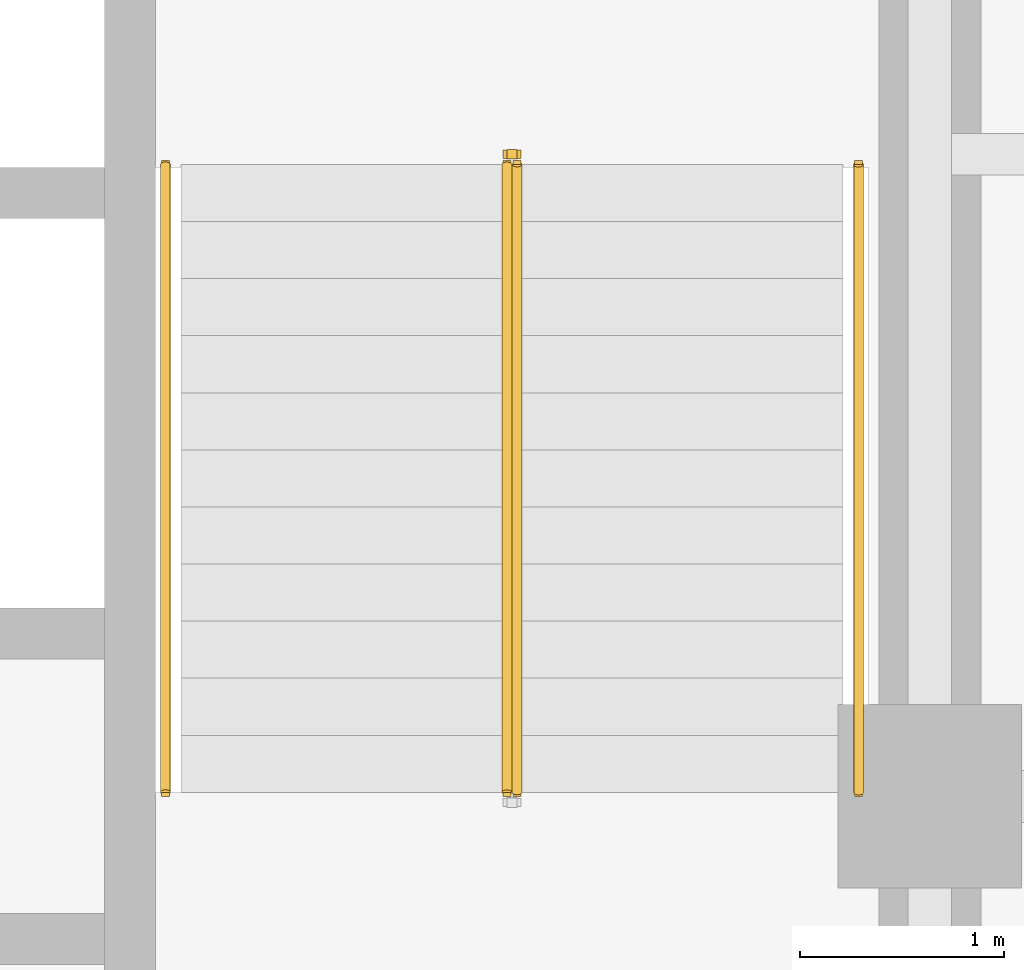
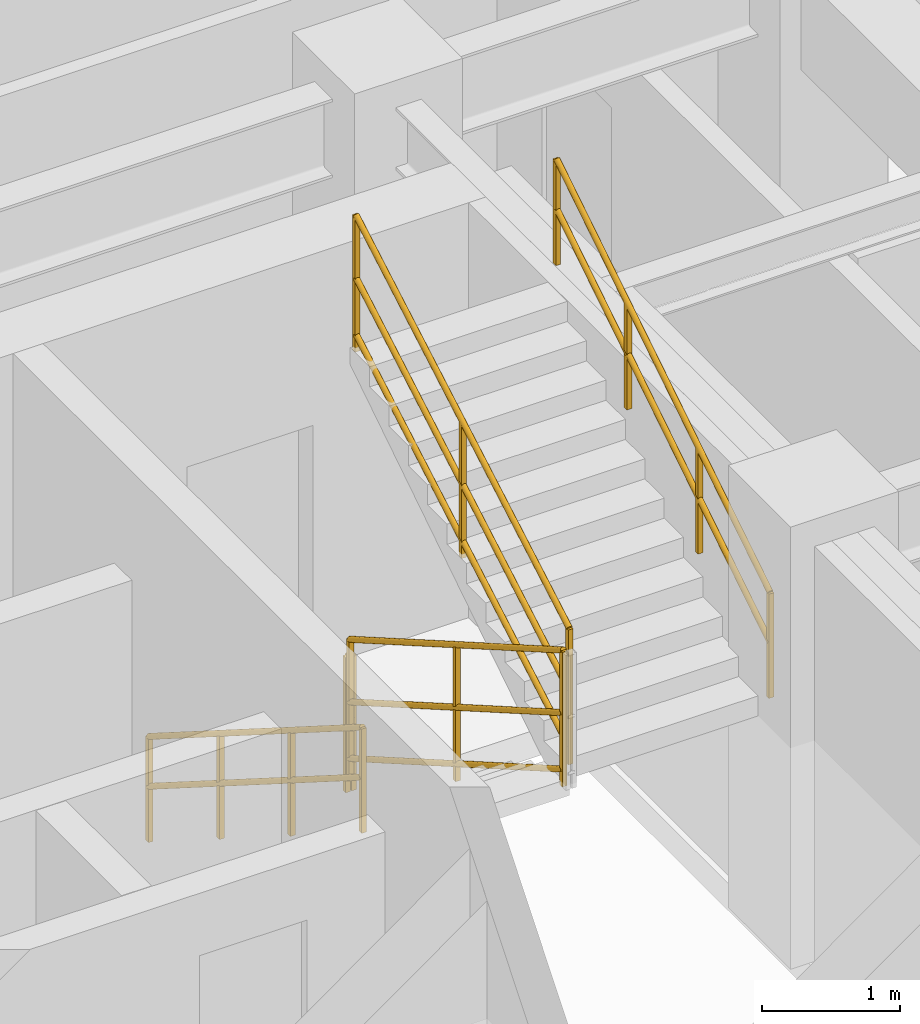
# One storey, part 10 of 11: 5 railings.
"""IFC4 building model written with IfcOpenShell, lengths in metres."""

from ifc_helpers import new_model, entity, si_unit, converted_unit, direction, frame, origin_with_axes, origin_2d_with_axis, place, context, subcontext, project, spatial, rectangle, circle, extrude, material, type_object, element, save


model = new_model("IFC4")

# Units and contexts
model_context = context("Model", 3, precision=1e-05, world=origin_with_axes(), true_north=direction((0.0, 1.0)))
body_context = subcontext(model_context, "Body", "Model", "MODEL_VIEW")
ifc_project = project(units=[si_unit("LENGTHUNIT", "METRE"), si_unit("AREAUNIT", "SQUARE_METRE"), si_unit("VOLUMEUNIT", "CUBIC_METRE"), converted_unit("PLANEANGLEUNIT", "DEGREE", entity("IfcPlaneAngleMeasure", 0.017453292519943295), si_unit("PLANEANGLEUNIT", "RADIAN"), dimensions=[0, 0, 0, 0, 0, 0, 0]), si_unit("MASSUNIT", "GRAM", prefix="KILO"), si_unit("THERMODYNAMICTEMPERATUREUNIT", "KELVIN")], contexts=[model_context])

# Site, building, storey
site_placement = place(None, origin_with_axes())
site = spatial("IfcSite", under=ifc_project, at=site_placement, CompositionType="ELEMENT")
building_placement = place(site_placement, origin_with_axes())
building = spatial("IfcBuilding", under=site, at=building_placement, Name="Varnlund Millrace Tower", CompositionType="ELEMENT")
storey_placement = place(building_placement, frame((0.0, 0.0, 200.4), z_axis=(0.0, 0.0, 1.0), x_axis=(1.0, 0.0, 0.0)))
storey = spatial("IfcBuildingStorey", under=building, at=storey_placement, Name="L49", CompositionType="ELEMENT", Elevation=200.4)

# Railings
ifc_material_1 = material(Name="Painted steel stair well balustrade guard", Category="steel")
railing_type_1 = type_object("IfcRailingType", Name="Type-StairGuard-1150", PredefinedType="GUARDRAIL", material=ifc_material_1)
railing_1_placement = place(storey_placement, frame((0.0, 0.0, -200.4), z_axis=(0.0, 0.0, 1.0), x_axis=(1.0, 0.0, 0.0)))
element("IfcRailing", 1, at=railing_1_placement, inside=storey, type_object=railing_type_1, Name="Type-StairGuard-1150", PredefinedType="GUARDRAIL", context=body_context, shape_type="SweptSolid", body=[
    extrude(circle(Radius=0.024, at=origin_2d_with_axis()), frame((45.975, 21.1, 201.727273), z_axis=(0.0, -0.866696, 0.498836), x_axis=(1.0, 0.0, 0.0)), (0.0, 0.0, 1.0), 3.553725),
    extrude(circle(Radius=0.024, at=origin_2d_with_axis()), frame((45.975, 21.1, 200.677273), z_axis=(0.0, -0.866696, 0.498836), x_axis=(1.0, 0.0, 0.0)), (0.0, 0.0, 1.0), 3.553725),
    extrude(circle(Radius=0.024, at=origin_2d_with_axis()), frame((45.975, 21.1, 201.175273), z_axis=(0.0, -0.866696, 0.498836), x_axis=(1.0, 0.0, 0.0)), (0.0, 0.0, 1.0), 3.553725),
    extrude(rectangle(XDim=0.04, YDim=0.04, at=origin_2d_with_axis()), frame((45.975, 21.1, 200.537273), z_axis=(0.0, 0.0, 1.0), x_axis=(1.0, 0.0, 0.0)), (0.0, 0.0, 1.0), 1.19),
    extrude(rectangle(XDim=0.04, YDim=0.04, at=origin_2d_with_axis()), frame((45.975, 19.56, 201.423637), z_axis=(0.0, 0.0, 1.0), x_axis=(1.0, 0.0, 0.0)), (0.0, 0.0, 1.0), 1.19),
    extrude(rectangle(XDim=0.04, YDim=0.04, at=origin_2d_with_axis()), frame((45.975, 18.02, 202.31), z_axis=(0.0, 0.0, 1.0), x_axis=(1.0, 0.0, 0.0)), (0.0, 0.0, 1.0), 1.19),
])
railing_2_placement = place(storey_placement, frame((0.0, 0.0, -200.4), z_axis=(0.0, 0.0, 1.0), x_axis=(1.0, 0.0, 0.0)))
element("IfcRailing", 2, at=railing_2_placement, inside=storey, type_object=railing_type_1, Name="Type-StairGuard-1150", PredefinedType="GUARDRAIL", context=body_context, shape_type="SweptSolid", body=[
    extrude(circle(Radius=0.024, at=origin_2d_with_axis()), frame((46.025, 18.02, 203.677273), z_axis=(0.0, 0.866696, 0.498836), x_axis=(-1.0, 0.0, 0.0)), (0.0, 0.0, 1.0), 3.553725),
    extrude(circle(Radius=0.024, at=origin_2d_with_axis()), frame((46.025, 18.02, 202.627273), z_axis=(0.0, 0.866696, 0.498836), x_axis=(-1.0, 0.0, 0.0)), (0.0, 0.0, 1.0), 3.553725),
    extrude(circle(Radius=0.024, at=origin_2d_with_axis()), frame((46.025, 18.02, 203.125273), z_axis=(0.0, 0.866696, 0.498836), x_axis=(-1.0, 0.0, 0.0)), (0.0, 0.0, 1.0), 3.553725),
    extrude(rectangle(XDim=0.04, YDim=0.04, at=origin_2d_with_axis()), frame((46.025, 18.02, 202.487273), z_axis=(0.0, 0.0, 1.0), x_axis=(1.0, 0.0, 0.0)), (0.0, 0.0, 1.0), 1.19),
    extrude(rectangle(XDim=0.04, YDim=0.04, at=origin_2d_with_axis()), frame((46.025, 19.56, 203.373636), z_axis=(0.0, 0.0, 1.0), x_axis=(1.0, 0.0, 0.0)), (0.0, 0.0, 1.0), 1.19),
    extrude(rectangle(XDim=0.04, YDim=0.04, at=origin_2d_with_axis()), frame((46.025, 21.1, 204.26), z_axis=(0.0, 0.0, 1.0), x_axis=(1.0, 0.0, 0.0)), (0.0, 0.0, 1.0), 1.19),
])
railing_3_placement = place(storey_placement, frame((0.0, 0.0, -200.4), z_axis=(0.0, 0.0, 1.0), x_axis=(1.0, 0.0, 0.0)))
element("IfcRailing", 3, at=railing_3_placement, inside=storey, type_object=railing_type_1, Name="Type-StairGuard-1150", PredefinedType="GUARDRAIL", context=body_context, shape_type="SweptSolid", body=[
    extrude(circle(Radius=0.024, at=origin_2d_with_axis()), frame((46.025, 21.15, 201.55), z_axis=(-1.0, 0.0, 0.0), x_axis=(0.0, -1.0, 0.0)), (0.0, 0.0, 1.0), 0.05),
    extrude(circle(Radius=0.024, at=origin_2d_with_axis()), frame((46.025, 21.15, 200.5), z_axis=(-1.0, 0.0, 0.0), x_axis=(0.0, -1.0, 0.0)), (0.0, 0.0, 1.0), 0.05),
    extrude(circle(Radius=0.024, at=origin_2d_with_axis()), frame((46.025, 21.15, 200.998), z_axis=(-1.0, 0.0, 0.0), x_axis=(0.0, -1.0, 0.0)), (0.0, 0.0, 1.0), 0.05),
    extrude(rectangle(XDim=0.04, YDim=0.04, at=origin_2d_with_axis()), frame((46.025, 21.15, 200.36), z_axis=(0.0, 0.0, 1.0), x_axis=(1.0, 0.0, 0.0)), (0.0, 0.0, 1.0), 1.19),
    extrude(rectangle(XDim=0.04, YDim=0.04, at=origin_2d_with_axis()), frame((45.975, 21.15, 200.36), z_axis=(0.0, 0.0, 1.0), x_axis=(1.0, 0.0, 0.0)), (0.0, 0.0, 1.0), 1.19),
])
ifc_material_2 = material(Name="Brushed architectural bronze stair handrail", Category="aluminium")
railing_type_2 = type_object("IfcRailingType", Name="Type-StairHandrail-900", PredefinedType="HANDRAIL", material=ifc_material_2)
railing_4_placement = place(storey_placement, frame((0.0, 0.0, -200.4), z_axis=(0.0, 0.0, 1.0), x_axis=(1.0, 0.0, 0.0)))
element("IfcRailing", 4, at=railing_4_placement, inside=storey, type_object=railing_type_2, Name="Type-StairHandrail-900", PredefinedType="HANDRAIL", context=body_context, shape_type="SweptSolid", body=[
    extrude(circle(Radius=0.024, at=origin_2d_with_axis()), frame((44.3, 21.1, 201.456995), z_axis=(0.0, -0.844902, 0.534922), x_axis=(1.0, 0.0, 0.0)), (0.0, 0.0, 1.0), 3.645394),
    extrude(circle(Radius=0.024, at=origin_2d_with_axis()), frame((44.3, 21.1, 201.017134), z_axis=(0.0, -0.844902, 0.534922), x_axis=(1.0, 0.0, 0.0)), (0.0, 0.0, 1.0), 3.645394),
    extrude(rectangle(XDim=0.04, YDim=0.04, at=origin_2d_with_axis()), frame((44.3, 21.1, 200.537273), z_axis=(0.0, 0.0, 1.0), x_axis=(1.0, 0.0, 0.0)), (0.0, 0.0, 1.0), 0.919722),
    extrude(rectangle(XDim=0.04, YDim=0.04, at=origin_2d_with_axis()), frame((44.3, 20.073333, 201.187273), z_axis=(0.0, 0.0, 1.0), x_axis=(1.0, 0.0, 0.0)), (0.0, 0.0, 1.0), 0.919722),
    extrude(rectangle(XDim=0.04, YDim=0.04, at=origin_2d_with_axis()), frame((44.3, 19.046667, 201.837273), z_axis=(0.0, 0.0, 1.0), x_axis=(1.0, 0.0, 0.0)), (0.0, 0.0, 1.0), 0.919722),
    extrude(rectangle(XDim=0.04, YDim=0.04, at=origin_2d_with_axis()), frame((44.3, 18.02, 202.487273), z_axis=(0.0, 0.0, 1.0), x_axis=(1.0, 0.0, 0.0)), (0.0, 0.0, 1.0), 0.919722),
])
railing_5_placement = place(storey_placement, frame((0.0, 0.0, -200.4), z_axis=(0.0, 0.0, 1.0), x_axis=(1.0, 0.0, 0.0)))
element("IfcRailing", 5, at=railing_5_placement, inside=storey, type_object=railing_type_2, Name="Type-StairHandrail-900", PredefinedType="HANDRAIL", context=body_context, shape_type="SweptSolid", body=[
    extrude(circle(Radius=0.024, at=origin_2d_with_axis()), frame((47.7, 18.02, 203.406995), z_axis=(0.0, 0.844902, 0.534922), x_axis=(-1.0, 0.0, 0.0)), (0.0, 0.0, 1.0), 3.645394),
    extrude(circle(Radius=0.024, at=origin_2d_with_axis()), frame((47.7, 18.02, 202.967134), z_axis=(0.0, 0.844902, 0.534922), x_axis=(-1.0, 0.0, 0.0)), (0.0, 0.0, 1.0), 3.645394),
    extrude(rectangle(XDim=0.04, YDim=0.04, at=origin_2d_with_axis()), frame((47.7, 18.02, 202.487273), z_axis=(0.0, 0.0, 1.0), x_axis=(1.0, 0.0, 0.0)), (0.0, 0.0, 1.0), 0.919722),
    extrude(rectangle(XDim=0.04, YDim=0.04, at=origin_2d_with_axis()), frame((47.7, 19.046667, 203.137273), z_axis=(0.0, 0.0, 1.0), x_axis=(1.0, 0.0, 0.0)), (0.0, 0.0, 1.0), 0.919722),
    extrude(rectangle(XDim=0.04, YDim=0.04, at=origin_2d_with_axis()), frame((47.7, 20.073333, 203.787273), z_axis=(0.0, 0.0, 1.0), x_axis=(1.0, 0.0, 0.0)), (0.0, 0.0, 1.0), 0.919722),
    extrude(rectangle(XDim=0.04, YDim=0.04, at=origin_2d_with_axis()), frame((47.7, 21.1, 204.437273), z_axis=(0.0, 0.0, 1.0), x_axis=(1.0, 0.0, 0.0)), (0.0, 0.0, 1.0), 0.919722),
])

save(model, "model.ifc")
